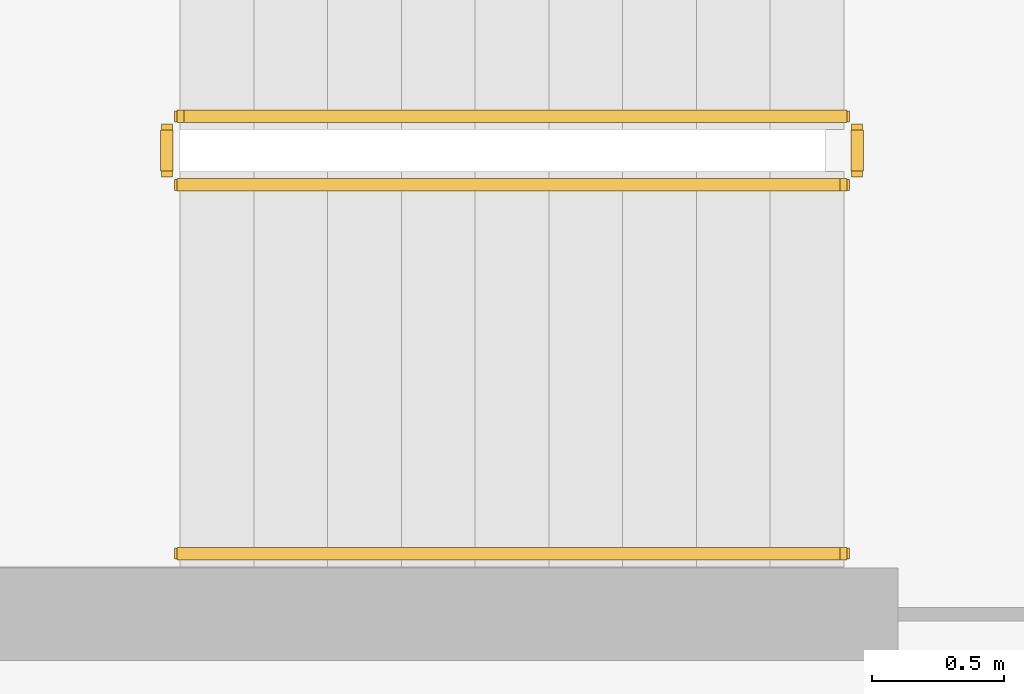
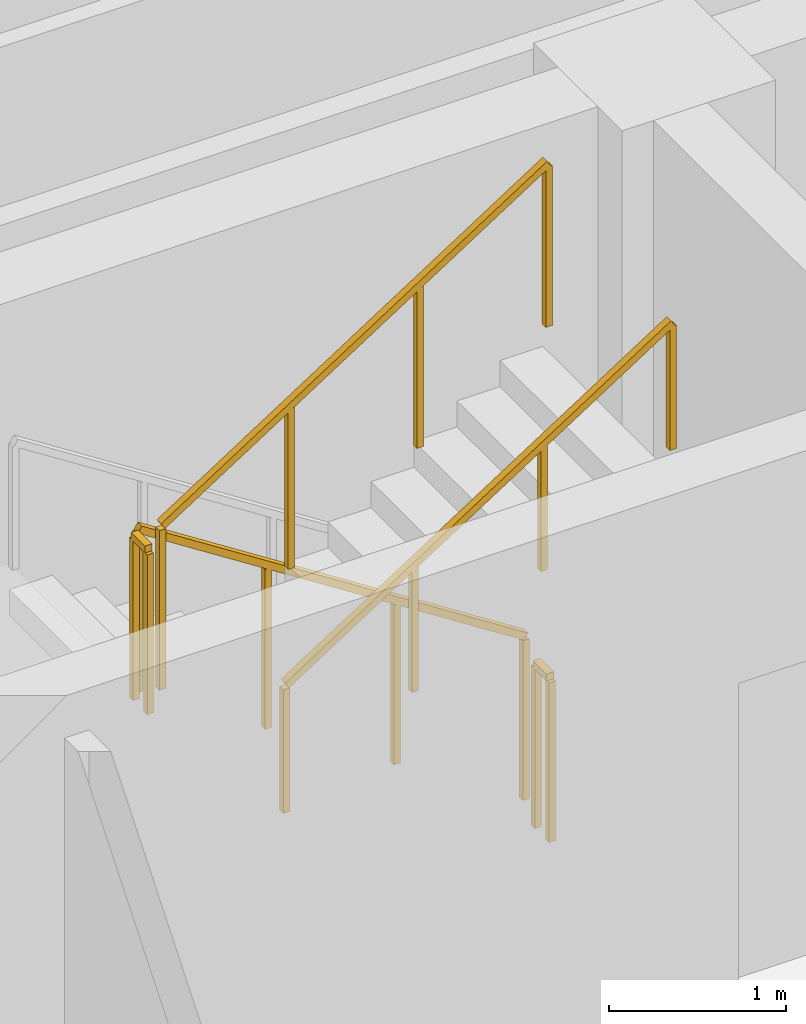
# One storey, part 12 of 14: 5 railings.
"""IFC4 building model written with IfcOpenShell, lengths in metres."""

import ifcopenshell
import ifcopenshell.guid

model = None  # the IFC model being written
_history = None  # IfcOwnerHistory: only IFC2X3 demands one
_inside = {}  # id of a spatial element -> (the spatial element, [elements in it])
_under = {}  # id of a project, library or spatial element -> (it, [spatial elements below it])
_declared = {}  # id of a project -> (the project, [libraries it declares])
_typed = {}  # id of a type object -> (the type object, [elements of that type])
_made_of = {}  # id of a material, layer set ... -> (it, [elements and type objects made of it])


def new_model(schema):
    """Start an empty IFC model of exactly this schema.

    Asked for "IFC4X3", IfcOpenShell would pick the latest addendum, in which some entities
    have other attributes; the version numbers below select the first issue.
    IFC2X3 requires an IfcOwnerHistory on every rooted entity: one is made here for all.
    """
    global model, _history
    if schema == "IFC4X3":
        model = ifcopenshell.file(schema_version=(4, 3, 0, 0))
    else:
        model = ifcopenshell.file(schema=schema)
    _inside.clear()
    _under.clear()
    _declared.clear()
    _typed.clear()
    _made_of.clear()
    _history = None
    if model.schema == "IFC2X3":
        org = make("IfcOrganization", Name="unknown")
        user = make(
            "IfcPersonAndOrganization",
            ThePerson=make("IfcPerson", FamilyName="unknown"),
            TheOrganization=org,
        )
        app = make(
            "IfcApplication",
            ApplicationDeveloper=org,
            Version="unknown",
            ApplicationFullName="unknown",
            ApplicationIdentifier="unknown",
        )
        _history = make(
            "IfcOwnerHistory",
            OwningUser=user,
            OwningApplication=app,
            ChangeAction="ADDED",
            CreationDate=0,
        )
    return model


def make(cls, **values):
    """One entity of the class cls with the attributes given. An attribute that is None is left unset."""
    return model.create_entity(
        cls, **{name: value for name, value in values.items() if value is not None}
    )


def rooted(cls, **values):
    """An entity with a GlobalId (a new one), such as an element, a storey or a relation."""
    return make(cls, GlobalId=ifcopenshell.guid.new(), OwnerHistory=_history, **values)


def si_unit(unit_type, name, prefix=None):
    """IfcSIUnit, for example si_unit("LENGTHUNIT", "METRE", prefix="MILLI")."""
    return make("IfcSIUnit", UnitType=unit_type, Prefix=prefix, Name=name)


def assignment(units):
    """IfcUnitAssignment: the units of a project."""
    return None if units is None else make("IfcUnitAssignment", Units=units)


def point(xyz):
    """IfcCartesianPoint."""
    return None if xyz is None else make("IfcCartesianPoint", Coordinates=xyz)


def direction(xyz):
    """IfcDirection."""
    return None if xyz is None else make("IfcDirection", DirectionRatios=xyz)


def frame(location, z_axis=None, x_axis=None):
    """IfcAxis2Placement3D, a coordinate frame: its origin and axes. An axis left out is left unset."""
    return make(
        "IfcAxis2Placement3D",
        Location=point(location),
        Axis=direction(z_axis),
        RefDirection=direction(x_axis),
    )


def frame_2d(location, x_axis=None):
    """IfcAxis2Placement2D, a coordinate frame in the plane: its origin and x axis."""
    return make(
        "IfcAxis2Placement2D", Location=point(location), RefDirection=direction(x_axis)
    )


def origin():
    """The frame at (0, 0, 0) with its axes left unset."""
    return frame((0.0, 0.0, 0.0))


def origin_2d():
    """The frame at (0, 0) in the plane with its x axis left unset."""
    return frame_2d((0.0, 0.0))


def place(relative_to, where):
    """IfcLocalPlacement: puts the frame where relative to a parent placement (None: the world)."""
    return make(
        "IfcLocalPlacement", PlacementRelTo=relative_to, RelativePlacement=where
    )


def context(
    kind, dimensions, precision=None, world=None, true_north=None, identifier=None
):
    """IfcGeometricRepresentationContext, for example the 3D "Model" context."""
    return make(
        "IfcGeometricRepresentationContext",
        ContextIdentifier=identifier,
        ContextType=kind,
        CoordinateSpaceDimension=dimensions,
        Precision=precision,
        WorldCoordinateSystem=world,
        TrueNorth=true_north,
    )


def subcontext(parent, identifier, kind, view, scale=None):
    """IfcGeometricRepresentationSubContext, for example "Body" below "Model"."""
    return make(
        "IfcGeometricRepresentationSubContext",
        ContextIdentifier=identifier,
        ContextType=kind,
        ParentContext=parent,
        TargetScale=scale,
        TargetView=view,
    )


def project(units=None, contexts=None):
    """IfcProject with its units and contexts."""
    return rooted(
        "IfcProject",
        Name="project",
        RepresentationContexts=contexts,
        UnitsInContext=assignment(units),
    )


def spatial(cls, under=None, at=None, **own):
    """A site, building, storey or space (cls), placed at a placement, below another one or the project."""
    s = rooted(cls, ObjectPlacement=at, **own)
    if under is not None:
        _under.setdefault(under.id(), (under, []))[1].append(s)
    return s


def profile(cls, at=None, kind="AREA", **sizes):
    """A parametric profile (cls). Its sizes go by their IFC names, for example OverallWidth=200.0."""
    return make(cls, ProfileType=kind, Position=at, **sizes)


def rectangle(**sizes):
    """IfcRectangleProfileDef."""
    return profile("IfcRectangleProfileDef", **sizes)


def extrude(swept, where, along, depth):
    """IfcExtrudedAreaSolid: the profile swept, set in the frame where, extruded along a direction by depth."""
    return make(
        "IfcExtrudedAreaSolid",
        SweptArea=swept,
        Position=where,
        ExtrudedDirection=direction(along),
        Depth=depth,
    )


def shape(context_of_items, identifier, shape_type, items):
    """IfcShapeRepresentation: the items that make up one representation, for example the "Body"."""
    return make(
        "IfcShapeRepresentation",
        ContextOfItems=context_of_items,
        RepresentationIdentifier=identifier,
        RepresentationType=shape_type,
        Items=items,
    )


def material(Name=None, Category=None):
    """IfcMaterial."""
    return make("IfcMaterial", Name=Name, Category=Category)


def made_of(thing, what):
    """Note that an element or type object is made of a material, layer set ...; save() writes the relation."""
    if what is not None:
        _made_of.setdefault(what.id(), (what, []))[1].append(thing)
    return thing


def type_object(cls, material=None, **own):
    """A type object (cls), such as IfcWallType, which elements share."""
    return made_of(rooted(cls, **own), material)


def element(
    cls,
    number,
    at=None,
    inside=None,
    cuts=None,
    type_object=None,
    material=None,
    context=None,
    identifier="Body",
    shape_type=None,
    held_by="IfcProductDefinitionShape",
    body=None,
    shapes=None,
    **own,
):
    """One element of the class cls, such as IfcWall. Its Tag is "e" and its number.

    at: its placement. inside: the storey or other place that contains it. cuts: it is an
    opening in that element (IfcRelVoidsElement). A single representation is given by context,
    identifier, shape_type and body (its items); several are given by shapes. held_by: the class
    of the entity that holds the representations. save() writes the other relations.
    """
    e = rooted(cls, Tag="e%d" % number, ObjectPlacement=at, **own)
    if body is not None:
        shapes = [shape(context, identifier, shape_type, body)]
    if shapes is not None:
        e.Representation = make(held_by, Representations=shapes)
    if inside is not None:
        _inside.setdefault(inside.id(), (inside, []))[1].append(e)
    if cuts is not None:
        rooted(
            "IfcRelVoidsElement", RelatingBuildingElement=cuts, RelatedOpeningElement=e
        )
    if type_object is not None:
        _typed.setdefault(type_object.id(), (type_object, []))[1].append(e)
    return made_of(e, material)


def aggregate(whole, parts):
    """IfcRelAggregates: a whole, such as a stair, and the parts it consists of."""
    return rooted("IfcRelAggregates", RelatingObject=whole, RelatedObjects=parts)


def save(model, path):
    """Write the relations noted so far, then the file.

    IfcRelAggregates (storeys below a building ...), IfcRelContainedInSpatialStructure (elements
    in a storey), IfcRelDefinesByType, IfcRelAssociatesMaterial and IfcRelDeclares: one each for
    every whole, place, type object, material and project.
    """
    for whole, parts in _under.values():
        aggregate(whole, parts)
    for where, things in _inside.values():
        rooted(
            "IfcRelContainedInSpatialStructure",
            RelatedElements=things,
            RelatingStructure=where,
        )
    for kind, things in _typed.values():
        rooted("IfcRelDefinesByType", RelatedObjects=things, RelatingType=kind)
    for what, things in _made_of.values():
        rooted("IfcRelAssociatesMaterial", RelatedObjects=things, RelatingMaterial=what)
    for by, libraries in _declared.values():
        rooted("IfcRelDeclares", RelatingContext=by, RelatedDefinitions=libraries)
    model.write(path)


model = new_model("IFC4")

# Units and contexts
model_context = context("Model", 3, precision=1e-05, world=origin(), true_north=direction((0.0, 1.0)))
body_context = subcontext(model_context, "Body", "Model", "MODEL_VIEW")
ifc_project = project(units=[si_unit("LENGTHUNIT", "METRE"), si_unit("AREAUNIT", "SQUARE_METRE"), si_unit("VOLUMEUNIT", "CUBIC_METRE"), si_unit("PLANEANGLEUNIT", "RADIAN"), si_unit("MASSUNIT", "GRAM", prefix="KILO")], contexts=[model_context])

# Site, building, storey
site_placement = place(None, origin())
site = spatial("IfcSite", under=ifc_project, at=site_placement, CompositionType="ELEMENT")
building_placement = place(site_placement, origin())
building = spatial("IfcBuilding", under=site, at=building_placement, Name="Zarnavel Station Tower", CompositionType="ELEMENT")
storey_placement = place(building_placement, frame((0.0, 0.0, 229.199951171875)))
storey = spatial("IfcBuildingStorey", under=building, at=storey_placement, Name="L62", CompositionType="ELEMENT", Elevation=229.199951171875)

# Railings
ifc_material_1 = material(Name="Painted Steel S355J2 Balustrade", Category="steel")
railing_type_1 = type_object("IfcRailingType", Name="GR_INT_1150", PredefinedType="GUARDRAIL", material=ifc_material_1)
railing_1_placement = place(storey_placement, frame((19.47998046875, 35.3701171875, 0.179931640625)))
element("IfcRailing", 1, at=railing_1_placement, inside=storey, type_object=railing_type_1, Name="L62 ST1 stair guard 1", PredefinedType="GUARDRAIL", context=body_context, shape_type="SweptSolid", body=[
    extrude(rectangle(XDim=0.048095703125, YDim=0.048095703125, at=origin_2d()), frame((-0.001708984375, 0.0, 1.126953125), z_axis=(-0.841162588446, 0.0, 0.540782303519), x_axis=(0.0, -1.0, 0.0)), (0.0, 0.0, 1.0), 2.991943359375),
    extrude(rectangle(XDim=0.0419921875, YDim=0.0419921875, at=origin_2d()), origin(), (0.0, 0.0, 1.0), 1.101806640625),
    extrude(rectangle(XDim=0.0419921875, YDim=0.0419921875, at=origin_2d()), frame((-0.840087890625, 0.0, 0.5400390625)), (0.0, 0.0, 1.0), 1.101806640625),
    extrude(rectangle(XDim=0.0419921875, YDim=0.0419921875, at=origin_2d()), frame((-1.679931640625, 0.0, 1.080078125)), (0.0, 0.0, 1.0), 1.101806640625),
    extrude(rectangle(XDim=0.0419921875, YDim=0.0419921875, at=origin_2d()), frame((-2.52001953125, 0.0, 1.6201171875)), (0.0, 0.0, 1.0), 1.101806640625),
])
railing_2_placement = place(storey_placement, frame((16.909912109375, 35.320068359375, 1.800048828125)))
element("IfcRailing", 2, at=railing_2_placement, inside=storey, type_object=railing_type_1, Name="L62 ST1 stair guard 2", PredefinedType="GUARDRAIL", context=body_context, shape_type="SweptSolid", body=[
    extrude(rectangle(XDim=0.048095703125, YDim=0.048095703125, at=origin_2d()), frame((0.0, -0.001953125, 1.1259765625), z_axis=(0.0, -1.0, 0.0), x_axis=(1.0, 0.0, 0.0)), (0.0, 0.0, 1.0), 0.15625),
    extrude(rectangle(XDim=0.0419921875, YDim=0.0419921875, at=origin_2d()), origin(), (0.0, 0.0, 1.0), 1.101806640625),
    extrude(rectangle(XDim=0.0419921875, YDim=0.0419921875, at=origin_2d()), frame((0.0, -0.16015625, 0.0)), (0.0, 0.0, 1.0), 1.101806640625),
])
railing_3_placement = place(storey_placement, frame((16.9599609375, 35.110107421875, 1.97998046875)))
element("IfcRailing", 3, at=railing_3_placement, inside=storey, type_object=railing_type_1, Name="L62 ST1 stair guard 3", PredefinedType="GUARDRAIL", context=body_context, shape_type="SweptSolid", body=[
    extrude(rectangle(XDim=0.048095703125, YDim=0.048095703125, at=origin_2d()), frame((0.001708984375, 0.0, 1.126953125), z_axis=(0.841162588446, 0.0, 0.540782303519), x_axis=(0.0, 1.0, 0.0)), (0.0, 0.0, 1.0), 2.991943359375),
    extrude(rectangle(XDim=0.0419921875, YDim=0.0419921875, at=origin_2d()), origin(), (0.0, 0.0, 1.0), 1.101806640625),
    extrude(rectangle(XDim=0.0419921875, YDim=0.0419921875, at=origin_2d()), frame((0.840087890625, 0.0, 0.5400390625)), (0.0, 0.0, 1.0), 1.101806640625),
    extrude(rectangle(XDim=0.0419921875, YDim=0.0419921875, at=origin_2d()), frame((1.679931640625, 0.0, 1.080078125)), (0.0, 0.0, 1.0), 1.101806640625),
    extrude(rectangle(XDim=0.0419921875, YDim=0.0419921875, at=origin_2d()), frame((2.52001953125, 0.0, 1.6201171875)), (0.0, 0.0, 1.0), 1.101806640625),
])
railing_4_placement = place(storey_placement, frame((19.530029296875, 35.320068359375, 0.0)))
element("IfcRailing", 4, at=railing_4_placement, inside=storey, type_object=railing_type_1, Name="L62 ST1 stair guard 4", PredefinedType="GUARDRAIL", context=body_context, shape_type="SweptSolid", body=[
    extrude(rectangle(XDim=0.048095703125, YDim=0.048095703125, at=origin_2d()), frame((0.0, -0.001953125, 1.1259765625), z_axis=(0.0, -1.0, 0.0), x_axis=(1.0, 0.0, 0.0)), (0.0, 0.0, 1.0), 0.15625),
    extrude(rectangle(XDim=0.0419921875, YDim=0.0419921875, at=origin_2d()), origin(), (0.0, 0.0, 1.0), 1.101806640625),
    extrude(rectangle(XDim=0.0419921875, YDim=0.0419921875, at=origin_2d()), frame((0.0, -0.16015625, 0.0)), (0.0, 0.0, 1.0), 1.101806640625),
])
ifc_material_2 = material(Name="Brushed Stainless Steel S355J2 Handrail", Category="steel")
railing_type_2 = type_object("IfcRailingType", Name="HR_STAIR_900", PredefinedType="HANDRAIL", material=ifc_material_2)
railing_5_placement = place(storey_placement, frame((16.9599609375, 33.7099609375, 1.97998046875)))
element("IfcRailing", 5, at=railing_5_placement, inside=storey, type_object=railing_type_2, Name="L62 ST1 stair handrail 2", PredefinedType="HANDRAIL", context=body_context, shape_type="SweptSolid", body=[
    extrude(rectangle(XDim=0.048095703125, YDim=0.048095703125, at=origin_2d()), frame((0.001708984375, 0.0, 0.876953125), z_axis=(0.841162588446, 0.0, 0.540782303519), x_axis=(0.0, 1.0, 0.0)), (0.0, 0.0, 1.0), 2.991943359375),
    extrude(rectangle(XDim=0.0419921875, YDim=0.0419921875, at=origin_2d()), origin(), (0.0, 0.0, 1.0), 0.851806640625),
    extrude(rectangle(XDim=0.0419921875, YDim=0.0419921875, at=origin_2d()), frame((0.840087890625, 0.0, 0.5400390625)), (0.0, 0.0, 1.0), 0.851806640625),
    extrude(rectangle(XDim=0.0419921875, YDim=0.0419921875, at=origin_2d()), frame((1.679931640625, 0.0, 1.080078125)), (0.0, 0.0, 1.0), 0.851806640625),
    extrude(rectangle(XDim=0.0419921875, YDim=0.0419921875, at=origin_2d()), frame((2.52001953125, 0.0, 1.6201171875)), (0.0, 0.0, 1.0), 0.851806640625),
])

save(model, "model.ifc")
